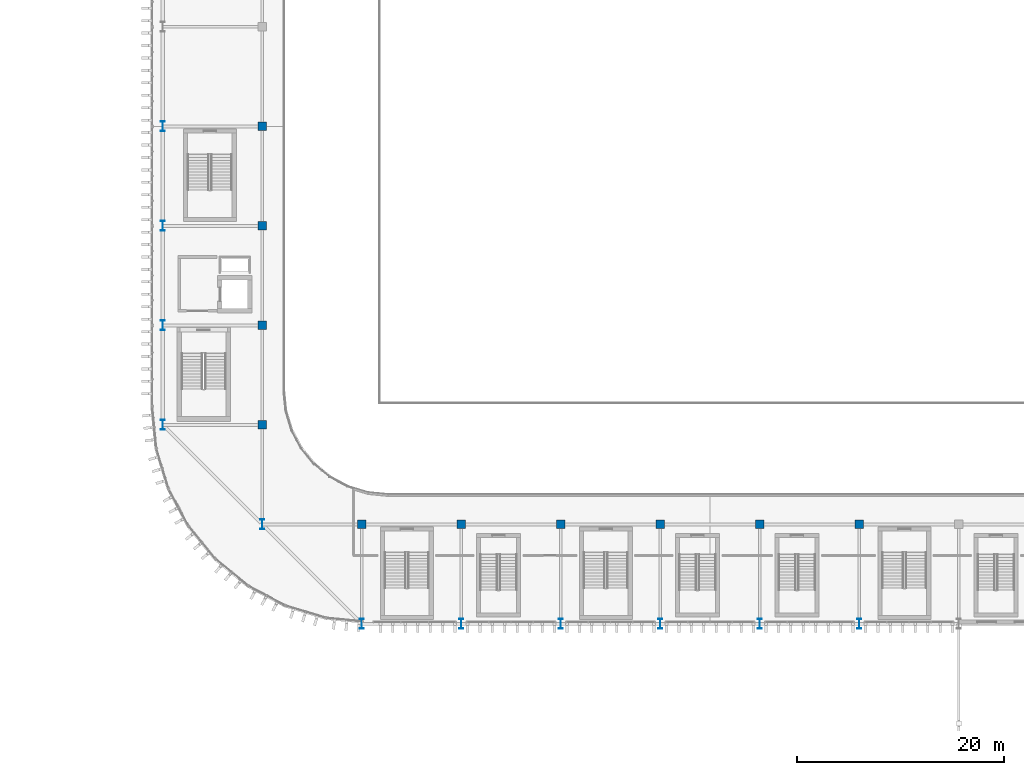
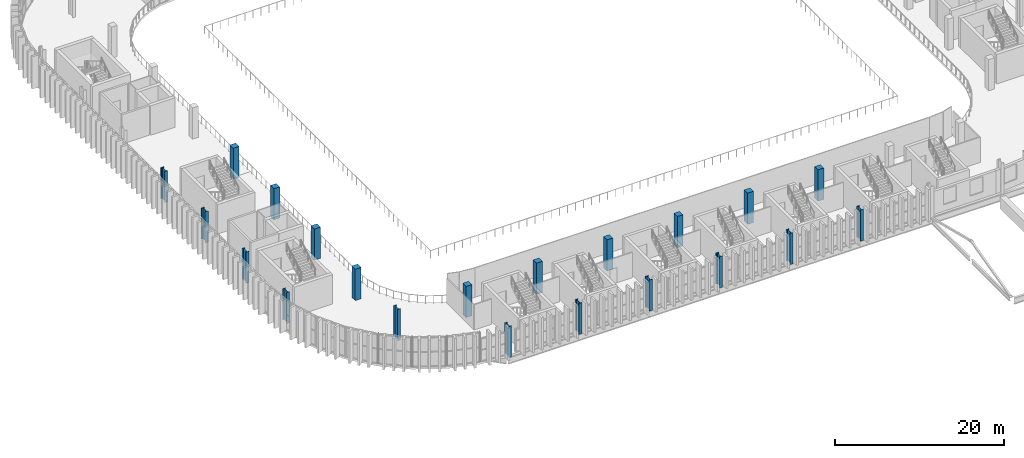
# One storey, part 1 of 75: 21 columns.
"""IFC4 building model written with IfcOpenShell, lengths in metres."""

from ifc_helpers import new_model, si_unit, direction, frame, origin, origin_2d, place, context, subcontext, project, spatial, rectangle, i_section, extrude, material, material_profile, profile_set, type_object, element, save


model = new_model("IFC4")

# Units and contexts
model_context = context("Model", 3, precision=1e-05, world=origin(), true_north=direction((0.0, 1.0)))
body_context = subcontext(model_context, "Body", "Model", "MODEL_VIEW")
ifc_project = project(units=[si_unit("LENGTHUNIT", "METRE"), si_unit("AREAUNIT", "SQUARE_METRE"), si_unit("VOLUMEUNIT", "CUBIC_METRE"), si_unit("PLANEANGLEUNIT", "RADIAN"), si_unit("MASSUNIT", "GRAM", prefix="KILO")], contexts=[model_context])

# Site, building, storey
site_placement = place(None, origin())
site = spatial("IfcSite", under=ifc_project, at=site_placement, CompositionType="ELEMENT")
building_placement = place(site_placement, origin())
building = spatial("IfcBuilding", under=site, at=building_placement, Name="Caelomonte Colonnade Arena", CompositionType="ELEMENT")
storey_placement = place(building_placement, frame((0.0, 0.0, 14.10009765625)))
storey = spatial("IfcBuildingStorey", under=building, at=storey_placement, Name="L03", CompositionType="ELEMENT", Elevation=14.10009765625)

# Columns
ifc_material_1 = material(Name="Concrete C40/50", Category="concrete")
ifc_material_profile_1 = material_profile(ifc_material_1, rectangle(XDim=0.800048828125, YDim=0.800048828125, at=origin_2d()), Name="RC800X800")
ifc_profile_set_1 = profile_set([ifc_material_profile_1], Name="Concrete C40/50")
column_type_1 = type_object("IfcColumnType", Name="STR-COL-RC08", PredefinedType="COLUMN", material=ifc_profile_set_1)
for number, where, z_axis, x_axis, name in (
    (1, (67.199951171875, 38.39990234375, 0.0), (0.0, 0.0, 1.0), (1.0, 0.0, 0.0), "L03 column (67.2, 38.4)"),
    (2, (67.199951171875, 48.0, 0.0), (0.0, 0.0, 1.0), (1.0, 0.0, 0.0), "L03 column (67.2, 48.0)"),
    (3, (67.199951171875, 57.60009765625, 0.0), (0.0, 0.0, 1.0), (1.0, 0.0, 0.0), "L03 column (67.2, 57.6)"),
    (4, (67.199951171875, 67.199951171875, 0.0), (0.0, 0.0, 1.0), (1.0, 0.0, 0.0), "L03 column (67.2, 67.2)"),
    (5, (76.800048828125, 28.800048828125, 0.0), (0.0, 0.0, 1.0), (1.0, 0.0, 0.0), "L03 column (76.8, 28.8)"),
    (6, (86.39990234375, 28.800048828125, 0.0), (0.0, 0.0, 1.0), (1.0, 0.0, 0.0), "L03 column (86.4, 28.8)"),
    (7, (96.0, 28.800048828125, 0.0), (0.0, 0.0, 1.0), (1.0, 0.0, 0.0), "L03 column (96.0, 28.8)"),
    (8, (105.60009765625, 28.800048828125, 0.0), (0.0, 0.0, 1.0), (1.0, 0.0, 0.0), "L03 column (105.6, 28.8)"),
    (9, (115.199951171875, 28.800048828125, 0.0), (0.0, 0.0, 1.0), (1.0, 0.0, 0.0), "L03 column (115.2, 28.8)"),
    (10, (124.800048828125, 28.800048828125, 0.0), (0.0, 0.0, 1.0), (1.0, 0.0, 0.0), "L03 column (124.8, 28.8)"),
):
    element("IfcColumn", number, at=place(storey_placement, frame(where, z_axis=z_axis, x_axis=x_axis)), inside=storey, type_object=column_type_1, Name=name, PredefinedType="COLUMN", context=body_context, shape_type="SweptSolid", body=[
        extrude(rectangle(XDim=0.800048828125, YDim=0.800048828125, at=origin_2d()), origin(), (0.0, 0.0, 1.0), 4.5),
    ])
ifc_material_2 = material(Name="Wide-flange steel ASTM A992 Grade 50", Category="steel")
ifc_material_profile_2 = material_profile(ifc_material_2, i_section(OverallWidth=0.423095703125, OverallDepth=0.947509765625, WebThickness=0.02392578125, FlangeThickness=0.042724609375, FilletRadius=0.024169921875, at=origin_2d()), Name="W36X302")
ifc_profile_set_2 = profile_set([ifc_material_profile_2], Name="Wide-flange steel ASTM A992 Grade 50")
column_type_2 = type_object("IfcColumnType", Name="STR-COL-W36A", PredefinedType="COLUMN", material=ifc_profile_set_2)
for number, where, z_axis, x_axis, name in (
    (11, (57.60009765625, 38.39990234375, 0.0), (0.0, 0.0, 1.0), (1.0, 0.0, 0.0), "L03 column (57.6, 38.4)"),
    (12, (57.60009765625, 48.0, 0.0), (0.0, 0.0, 1.0), (1.0, 0.0, 0.0), "L03 column (57.6, 48.0)"),
    (13, (57.60009765625, 57.60009765625, 0.0), (0.0, 0.0, 1.0), (1.0, 0.0, 0.0), "L03 column (57.6, 57.6)"),
    (14, (57.60009765625, 67.199951171875, 0.0), (0.0, 0.0, 1.0), (1.0, 0.0, 0.0), "L03 column (57.6, 67.2)"),
    (15, (67.199951171875, 28.800048828125, 0.0), (0.0, 0.0, 1.0), (1.0, 0.0, 0.0), "L03 column (67.2, 28.8)"),
    (16, (76.800048828125, 19.199951171875, 0.0), (0.0, 0.0, 1.0), (1.0, 0.0, 0.0), "L03 column (76.8, 19.2)"),
    (17, (86.39990234375, 19.199951171875, 0.0), (0.0, 0.0, 1.0), (1.0, 0.0, 0.0), "L03 column (86.4, 19.2)"),
    (18, (96.0, 19.199951171875, 0.0), (0.0, 0.0, 1.0), (1.0, 0.0, 0.0), "L03 column (96.0, 19.2)"),
    (19, (105.60009765625, 19.199951171875, 0.0), (0.0, 0.0, 1.0), (1.0, 0.0, 0.0), "L03 column (105.6, 19.2)"),
    (20, (115.199951171875, 19.199951171875, 0.0), (0.0, 0.0, 1.0), (1.0, 0.0, 0.0), "L03 column (115.2, 19.2)"),
    (21, (124.800048828125, 19.199951171875, 0.0), (0.0, 0.0, 1.0), (1.0, 0.0, 0.0), "L03 column (124.8, 19.2)"),
):
    element("IfcColumn", number, at=place(storey_placement, frame(where, z_axis=z_axis, x_axis=x_axis)), inside=storey, type_object=column_type_2, Name=name, PredefinedType="COLUMN", context=body_context, shape_type="SweptSolid", body=[
        extrude(i_section(OverallWidth=0.423095703125, OverallDepth=0.947509765625, WebThickness=0.02392578125, FlangeThickness=0.042724609375, FilletRadius=0.024169921875, at=origin_2d()), origin(), (0.0, 0.0, 1.0), 4.5),
    ])

save(model, "model.ifc")
